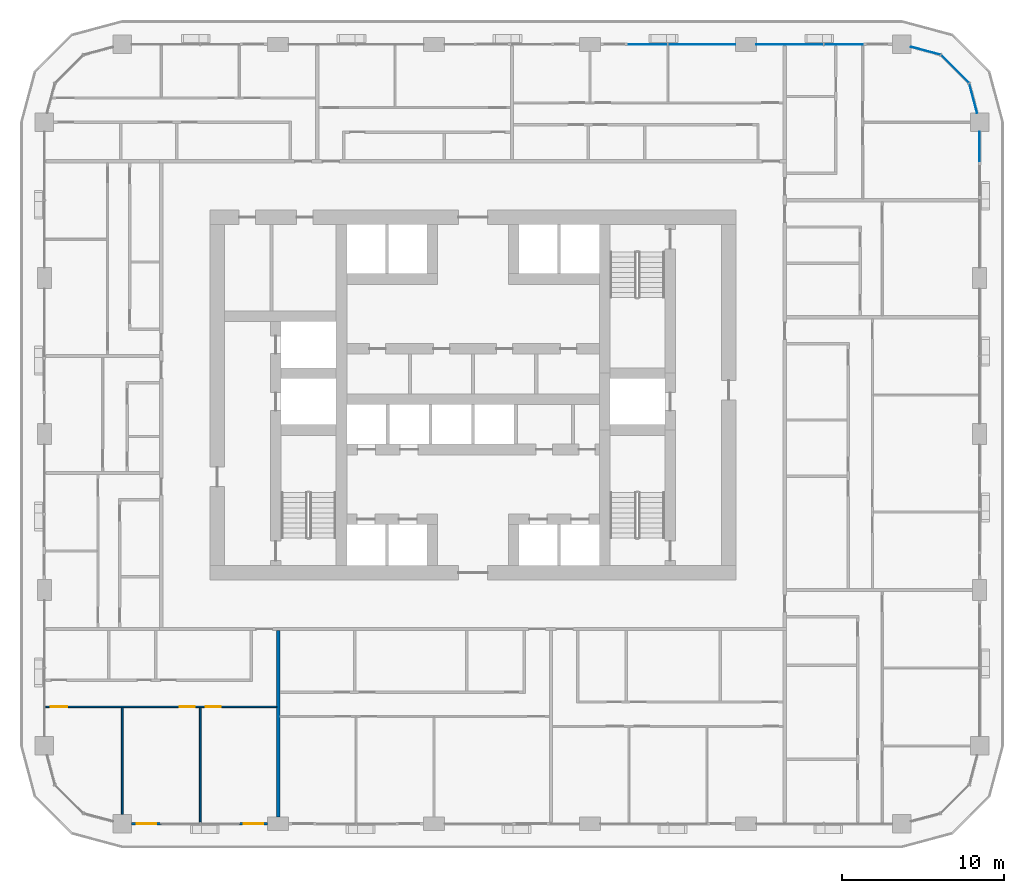
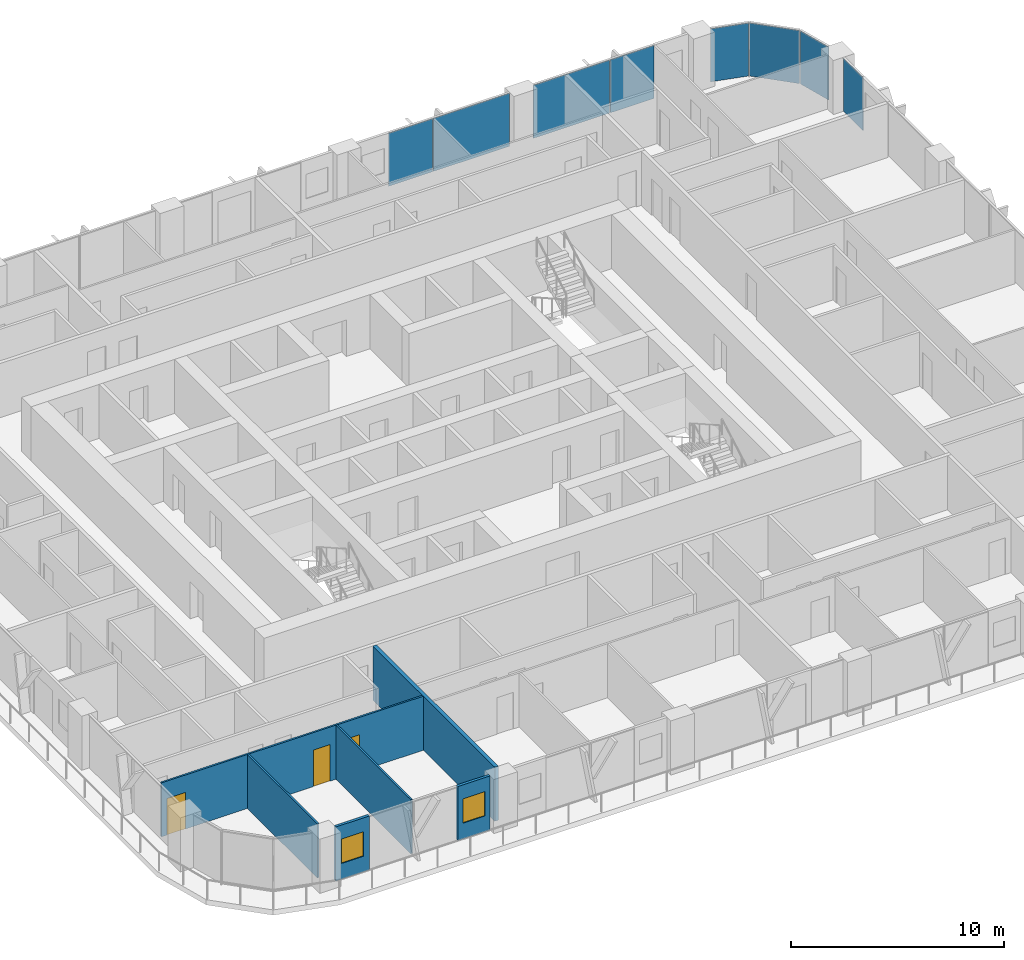
# One storey, part 8 of 21: 8 plates, 6 walls, 3 doors, 2 windows, 5 openings, 4 elements without a shape of their own.
"""IFC4 building model written with IfcOpenShell, lengths in metres."""

from ifc_helpers import new_model, si_unit, direction, frame, frame_2d, origin, origin_2d, place, context, subcontext, project, spatial, rectangle, extrude, material, layer, layer_set, type_object, element, fill, aggregate, save


model = new_model("IFC4")

# Units and contexts
model_context = context("Model", 3, precision=1e-05, world=origin(), true_north=direction((0.0, 1.0)))
body_context = subcontext(model_context, "Body", "Model", "MODEL_VIEW")
ifc_project = project(units=[si_unit("LENGTHUNIT", "METRE"), si_unit("AREAUNIT", "SQUARE_METRE"), si_unit("VOLUMEUNIT", "CUBIC_METRE"), si_unit("PLANEANGLEUNIT", "RADIAN"), si_unit("MASSUNIT", "GRAM", prefix="KILO")], contexts=[model_context])

# Site, building, storey
site_placement = place(None, origin())
site = spatial("IfcSite", under=ifc_project, at=site_placement, CompositionType="ELEMENT")
building_placement = place(site_placement, origin())
building = spatial("IfcBuilding", under=site, at=building_placement, Name="Madar Terraces", CompositionType="ELEMENT")
storey_placement = place(building_placement, frame((0.0, 0.0, 80.300048828125)))
storey = spatial("IfcBuildingStorey", under=building, at=storey_placement, Name="L20", CompositionType="ELEMENT", Elevation=80.300048828125)

# Curtain wall, plate
ifc_material_1 = material(Name="Glass, ceramic frit dark grey, with black aluminium frame", Category="aluminium")
ifc_layer_1 = layer(ifc_material_1, 0.199951171875)
ifc_layer_set_1 = layer_set([ifc_layer_1], Name="Facade curtain wall, fritted glass")
curtain_wall_type = type_object("IfcCurtainWallType", Name="Facade curtain wall, fritted glass", PredefinedType="NOTDEFINED", material=ifc_layer_set_1)
curtain_wall_1_placement = place(storey_placement, origin())
curtain_wall_1 = element("IfcCurtainWall", 1, at=curtain_wall_1_placement, inside=storey, type_object=curtain_wall_type, Name="Outer skin curtain wall east bay 4", PredefinedType="NOTDEFINED")
ifc_material_2 = material(Name="Glass, ceramic frit dark grey", Category="glass")
ifc_layer_2 = layer(ifc_material_2, 0.028076171875)
ifc_layer_set_2 = layer_set([ifc_layer_2], Name="Facade glass panel 28")
plate_type = type_object("IfcPlateType", Name="Facade glass panel 28", PredefinedType="CURTAIN_PANEL", material=ifc_layer_set_2)
plate_1_placement = place(storey_placement, frame((62.39990234375, 41.71240234375, 0.0), z_axis=(0.0, 0.0, 1.0), x_axis=(0.0, 1.0, 0.0)))
plate_1 = element("IfcPlate", 2, at=plate_1_placement, type_object=plate_type, Name="Panel 2", PredefinedType="CURTAIN_PANEL", context=body_context, shape_type="SweptSolid", body=[
    extrude(rectangle(XDim=1.824951171875, YDim=0.028076171875, at=origin_2d()), origin(), (0.0, 0.0, 1.0), 3.0400390625),
])
aggregate(curtain_wall_1, [plate_1])

# Curtain wall, plates
curtain_wall_2_placement = place(storey_placement, origin())
curtain_wall_2 = element("IfcCurtainWall", 3, at=curtain_wall_2_placement, inside=storey, type_object=curtain_wall_type, Name="Outer skin curtain wall north bay 1", PredefinedType="NOTDEFINED")
plate_2_placement = place(storey_placement, frame((54.014892578125, 48.0, 0.0), z_axis=(0.0, 0.0, 1.0), x_axis=(-1.0, 0.0, 0.0)))
plate_2 = element("IfcPlate", 4, at=plate_2_placement, type_object=plate_type, Name="Panel 1", PredefinedType="CURTAIN_PANEL", context=body_context, shape_type="SweptSolid", body=[
    extrude(rectangle(XDim=2.3701171875, YDim=0.028076171875, at=origin_2d()), origin(), (0.0, 0.0, 1.0), 3.0400390625),
])
plate_3_placement = place(storey_placement, frame((50.7099609375, 48.0, 0.0), z_axis=(0.0, 0.0, 1.0), x_axis=(-1.0, 0.0, 0.0)))
plate_3 = element("IfcPlate", 5, at=plate_3_placement, type_object=plate_type, Name="Panel 2", PredefinedType="CURTAIN_PANEL", context=body_context, shape_type="SweptSolid", body=[
    extrude(rectangle(XDim=4.1201171875, YDim=0.028076171875, at=origin_2d()), origin(), (0.0, 0.0, 1.0), 3.0400390625),
])
aggregate(curtain_wall_2, [plate_2, plate_3])

curtain_wall_3_placement = place(storey_placement, origin())
curtain_wall_3 = element("IfcCurtainWall", 6, at=curtain_wall_3_placement, inside=storey, type_object=curtain_wall_type, Name="Outer skin curtain wall north bay 2", PredefinedType="NOTDEFINED")
plate_4_placement = place(storey_placement, frame((45.2900390625, 48.0, 0.0), z_axis=(0.0, 0.0, 1.0), x_axis=(-1.0, 0.0, 0.0)))
plate_4 = element("IfcPlate", 7, at=plate_4_placement, type_object=plate_type, Name="Panel 1", PredefinedType="CURTAIN_PANEL", context=body_context, shape_type="SweptSolid", body=[
    extrude(rectangle(XDim=4.1201171875, YDim=0.028076171875, at=origin_2d()), origin(), (0.0, 0.0, 1.0), 3.0400390625),
])
plate_5_placement = place(storey_placement, frame((41.985107421875, 48.0, 0.0), z_axis=(0.0, 0.0, 1.0), x_axis=(-1.0, 0.0, 0.0)))
plate_5 = element("IfcPlate", 8, at=plate_5_placement, type_object=plate_type, Name="Panel 2", PredefinedType="CURTAIN_PANEL", context=body_context, shape_type="SweptSolid", body=[
    extrude(rectangle(XDim=2.3701171875, YDim=0.028076171875, at=origin_2d()), origin(), (0.0, 0.0, 1.0), 3.0400390625),
])
aggregate(curtain_wall_3, [plate_4, plate_5])

curtain_wall_4_placement = place(storey_placement, origin())
curtain_wall_4 = element("IfcCurtainWall", 9, at=curtain_wall_4_placement, inside=storey, type_object=curtain_wall_type, Name="Outer skin curtain wall north-east corner", PredefinedType="NOTDEFINED")
plate_6_placement = place(storey_placement, frame((62.00537109375, 44.673095703125, 0.0), z_axis=(0.0, 0.0, 1.0), x_axis=(-0.258819021888, 0.965925832509, 0.0)))
plate_6 = element("IfcPlate", 10, at=plate_6_placement, type_object=plate_type, Name="Panel 1", PredefinedType="CURTAIN_PANEL", context=body_context, shape_type="SweptSolid", body=[
    extrude(rectangle(XDim=1.859375, YDim=0.028076171875, at=origin_2d()), origin(), (0.0, 0.0, 1.0), 3.0400390625),
])
plate_7_placement = place(storey_placement, frame((60.87841796875, 46.478515625, 0.0), z_axis=(0.0, 0.0, 1.0), x_axis=(-0.707106781187, 0.707106781187, 0.0)))
plate_7 = element("IfcPlate", 11, at=plate_7_placement, type_object=plate_type, Name="Panel 2", PredefinedType="CURTAIN_PANEL", context=body_context, shape_type="SweptSolid", body=[
    extrude(rectangle(XDim=2.424560546875, YDim=0.028076171875, at=origin_2d()), origin(), (0.0, 0.0, 1.0), 3.0400390625),
])
plate_8_placement = place(storey_placement, frame((59.072998046875, 47.605224609375, 0.0), z_axis=(0.0, 0.0, 1.0), x_axis=(-0.965925832509, 0.258819021888, 0.0)))
plate_8 = element("IfcPlate", 12, at=plate_8_placement, type_object=plate_type, Name="Panel 3", PredefinedType="CURTAIN_PANEL", context=body_context, shape_type="SweptSolid", body=[
    extrude(rectangle(XDim=1.859375, YDim=0.028076171875, at=origin_2d()), origin(), (0.0, 0.0, 1.0), 3.0400390625),
])
aggregate(curtain_wall_4, [plate_6, plate_7, plate_8])

# Wall, opening, window
ifc_material_3 = material(Name="Aluminium composite panel, black, over insulated backing", Category="aluminium")
ifc_layer_3 = layer(ifc_material_3, 0.14990234375)
ifc_layer_set_3 = layer_set([ifc_layer_3], Name="Facade bay panel 150")
wall_type_1 = type_object("IfcWallType", Name="Facade bay panel 150", PredefinedType="SOLIDWALL", material=ifc_layer_set_3)
wall_1_placement = place(storey_placement, frame((10.175048828125, 0.0, 0.0), z_axis=(0.0, 0.0, 1.0), x_axis=(1.0, 0.0, 0.0)))
wall_1 = element("IfcWall", 13, at=wall_1_placement, inside=storey, type_object=wall_type_1, Name="Facade bay panel", PredefinedType="SOLIDWALL", context=body_context, shape_type="SweptSolid", body=[
    extrude(rectangle(XDim=1.824951171875, YDim=0.14990234375, at=frame_2d((0.91259765625, 0.0))), origin(), (0.0, 0.0, 1.0), 3.099853515625),
])
opening_1_placement = place(wall_1_placement, frame((0.3125, 0.0, 0.89990234375)))
opening_1 = element("IfcOpeningElement", 14, at=opening_1_placement, cuts=wall_1, Name="Opening W1", PredefinedType="OPENING", context=body_context, shape_type="SweptSolid", body=[
    extrude(rectangle(XDim=1.199951171875, YDim=1.39990234375, at=frame_2d((0.60009765625, 0.699951171875))), frame((0.0, 0.0849609375, 0.0), z_axis=(0.0, -1.0, 0.0), x_axis=(1.0, 0.0, 0.0)), (0.0, 0.0, 1.0), 0.169921875),
])
ifc_material_4 = material(Name="Glass, clear, with black aluminium frame", Category="aluminium")
window_type = type_object("IfcWindowType", Name="Vent window 1200 x 1400", PartitioningType="SINGLE_PANEL", PredefinedType="WINDOW", material=ifc_material_4)
window_1_placement = place(opening_1_placement, origin())
window_1 = element("IfcWindow", 15, at=window_1_placement, inside=storey, type_object=window_type, Name="Operable vent window", OverallHeight=1.39990234375, OverallWidth=1.199951171875, PartitioningType="SINGLE_PANEL", PredefinedType="WINDOW", context=body_context, shape_type="SweptSolid", body=[
    extrude(rectangle(XDim=1.199951171875, YDim=1.39990234375, at=frame_2d((0.60009765625, 0.699951171875))), frame((0.0, 0.030029296875, 0.0), z_axis=(0.0, -1.0, 0.0), x_axis=(1.0, 0.0, 0.0)), (0.0, 0.0, 1.0), 0.06005859375),
])
fill(opening_1, window_1)

wall_2_placement = place(storey_placement, frame((16.800048828125, 0.0, 0.0), z_axis=(0.0, 0.0, 1.0), x_axis=(1.0, 0.0, 0.0)))
wall_2 = element("IfcWall", 16, at=wall_2_placement, inside=storey, type_object=wall_type_1, Name="Facade bay panel", PredefinedType="SOLIDWALL", context=body_context, shape_type="SweptSolid", body=[
    extrude(rectangle(XDim=1.75, YDim=0.14990234375, at=frame_2d((0.875, 0.0))), origin(), (0.0, 0.0, 1.0), 3.099853515625),
])
opening_2_placement = place(wall_2_placement, frame((0.27490234375, 0.0, 0.89990234375)))
opening_2 = element("IfcOpeningElement", 17, at=opening_2_placement, cuts=wall_2, Name="Opening W1", PredefinedType="OPENING", context=body_context, shape_type="SweptSolid", body=[
    extrude(rectangle(XDim=1.199951171875, YDim=1.39990234375, at=frame_2d((0.60009765625, 0.699951171875))), frame((0.0, 0.0849609375, 0.0), z_axis=(0.0, -1.0, 0.0), x_axis=(1.0, 0.0, 0.0)), (0.0, 0.0, 1.0), 0.169921875),
])
window_2_placement = place(opening_2_placement, origin())
window_2 = element("IfcWindow", 18, at=window_2_placement, inside=storey, type_object=window_type, Name="Operable vent window", OverallHeight=1.39990234375, OverallWidth=1.199951171875, PartitioningType="SINGLE_PANEL", PredefinedType="WINDOW", context=body_context, shape_type="SweptSolid", body=[
    extrude(rectangle(XDim=1.199951171875, YDim=1.39990234375, at=frame_2d((0.60009765625, 0.699951171875))), frame((0.0, 0.030029296875, 0.0), z_axis=(0.0, -1.0, 0.0), x_axis=(1.0, 0.0, 0.0)), (0.0, 0.0, 1.0), 0.06005859375),
])
fill(opening_2, window_2)

# Walls
ifc_material_5 = material(Name="Gypsum board on steel studs", Category="steel")
ifc_layer_4 = layer(ifc_material_5, 0.10009765625)
ifc_layer_set_4 = layer_set([ifc_layer_4], Name="Flat partition 100")
wall_type_2 = type_object("IfcWallType", Name="Flat partition 100", PredefinedType="PARTITIONING", material=ifc_layer_set_4)
wall_3_placement = place(storey_placement, frame((14.39990234375, 7.14990234375, 0.0), z_axis=(0.0, 0.0, 1.0), x_axis=(0.0, -1.0, 0.0)))
element("IfcWall", 19, at=wall_3_placement, inside=storey, type_object=wall_type_2, Name="Flat partition 100", PredefinedType="PARTITIONING", context=body_context, shape_type="SweptSolid", body=[
    extrude(rectangle(XDim=7.0498046875, YDim=0.10009765625, at=frame_2d((3.52490234375, 0.0))), origin(), (0.0, 0.0, 1.0), 3.099853515625),
])
wall_4_placement = place(storey_placement, frame((9.60009765625, 7.14990234375, 0.0), z_axis=(0.0, 0.0, 1.0), x_axis=(0.0, -1.0, 0.0)))
element("IfcWall", 20, at=wall_4_placement, inside=storey, type_object=wall_type_2, Name="Flat partition 100", PredefinedType="PARTITIONING", context=body_context, shape_type="SweptSolid", body=[
    extrude(rectangle(XDim=6.574951171875, YDim=0.10009765625, at=frame_2d((3.28759765625, 0.0))), origin(), (0.0, 0.0, 1.0), 3.099853515625),
])

# Wall, openings, doors
wall_5_placement = place(storey_placement, frame((19.10009765625, 7.199951171875, 0.0), z_axis=(0.0, 0.0, 1.0), x_axis=(-1.0, 0.0, 0.0)))
wall_5 = element("IfcWall", 21, at=wall_5_placement, inside=storey, type_object=wall_type_2, Name="Flat partition 100", PredefinedType="PARTITIONING", context=body_context, shape_type="SweptSolid", body=[
    extrude(rectangle(XDim=14.2001953125, YDim=0.10009765625, at=frame_2d((7.10009765625, 0.0))), origin(), (0.0, 0.0, 1.0), 3.099853515625),
])
opening_3_placement = place(wall_5_placement, frame((3.449951171875, 0.0, 0.0)))
opening_3 = element("IfcOpeningElement", 22, at=opening_3_placement, cuts=wall_5, Name="Opening D2", PredefinedType="OPENING", context=body_context, shape_type="SweptSolid", body=[
    extrude(rectangle(XDim=0.89990234375, YDim=2.10009765625, at=frame_2d((0.449951171875, 1.050048828125))), frame((0.0, 0.06005859375, 0.0), z_axis=(0.0, -1.0, 0.0), x_axis=(1.0, 0.0, 0.0)), (0.0, 0.0, 1.0), 0.1201171875),
])
opening_4_placement = place(wall_5_placement, frame((5.050048828125, 0.0, 0.0)))
opening_4 = element("IfcOpeningElement", 23, at=opening_4_placement, cuts=wall_5, Name="Opening D2", PredefinedType="OPENING", context=body_context, shape_type="SweptSolid", body=[
    extrude(rectangle(XDim=0.89990234375, YDim=2.10009765625, at=frame_2d((0.449951171875, 1.050048828125))), frame((0.0, 0.06005859375, 0.0), z_axis=(0.0, -1.0, 0.0), x_axis=(1.0, 0.0, 0.0)), (0.0, 0.0, 1.0), 0.1201171875),
])
opening_5_placement = place(wall_5_placement, frame((12.89990234375, 0.0, 0.0)))
opening_5 = element("IfcOpeningElement", 24, at=opening_5_placement, cuts=wall_5, Name="Opening D3", PredefinedType="OPENING", context=body_context, shape_type="SweptSolid", body=[
    extrude(rectangle(XDim=1.0, YDim=2.10009765625, at=frame_2d((0.5, 1.050048828125))), frame((0.0, 0.06005859375, 0.0), z_axis=(0.0, -1.0, 0.0), x_axis=(1.0, 0.0, 0.0)), (0.0, 0.0, 1.0), 0.1201171875),
])
ifc_material_6 = material(Name="Timber door leaf", Category="wood")
door_type_1 = type_object("IfcDoorType", Name="Flat living room door 1000", OperationType="NOTDEFINED", PredefinedType="DOOR", material=ifc_material_6)
door_1_placement = place(opening_5_placement, origin())
door_1 = element("IfcDoor", 25, at=door_1_placement, inside=storey, type_object=door_type_1, Name="Flat living room door 1000", OperationType="SINGLE_SWING_RIGHT", OverallHeight=2.10009765625, OverallWidth=1.0, PredefinedType="DOOR", context=body_context, shape_type="SweptSolid", body=[
    extrude(rectangle(XDim=1.0, YDim=2.10009765625, at=frame_2d((0.5, 1.050048828125))), frame((0.0, 0.02490234375, 0.0), z_axis=(0.0, -1.0, 0.0), x_axis=(1.0, 0.0, 0.0)), (0.0, 0.0, 1.0), 0.050048828125),
])
fill(opening_5, door_1)
ifc_material_7 = material(Name="Timber door leaf", Category="wood")
door_type_2 = type_object("IfcDoorType", Name="Flat room door 900", OperationType="NOTDEFINED", PredefinedType="DOOR", material=ifc_material_7)
door_2_placement = place(opening_3_placement, origin())
door_2 = element("IfcDoor", 26, at=door_2_placement, inside=storey, type_object=door_type_2, Name="Flat room door 900", OperationType="SINGLE_SWING_RIGHT", OverallHeight=2.10009765625, OverallWidth=0.89990234375, PredefinedType="DOOR", context=body_context, shape_type="SweptSolid", body=[
    extrude(rectangle(XDim=0.89990234375, YDim=2.10009765625, at=frame_2d((0.449951171875, 1.050048828125))), frame((0.0, 0.02490234375, 0.0), z_axis=(0.0, -1.0, 0.0), x_axis=(1.0, 0.0, 0.0)), (0.0, 0.0, 1.0), 0.050048828125),
])
fill(opening_3, door_2)
door_3_placement = place(opening_4_placement, origin())
door_3 = element("IfcDoor", 27, at=door_3_placement, inside=storey, type_object=door_type_2, Name="Flat room door 900", OperationType="SINGLE_SWING_LEFT", OverallHeight=2.10009765625, OverallWidth=0.89990234375, PredefinedType="DOOR", context=body_context, shape_type="SweptSolid", body=[
    extrude(rectangle(XDim=0.89990234375, YDim=2.10009765625, at=frame_2d((0.449951171875, 1.050048828125))), frame((0.0, 0.02490234375, 0.0), z_axis=(0.0, -1.0, 0.0), x_axis=(1.0, 0.0, 0.0)), (0.0, 0.0, 1.0), 0.050048828125),
])
fill(opening_4, door_3)

# Wall
ifc_material_8 = material(Name="Lightweight blockwork", Category="masonry")
ifc_layer_5 = layer(ifc_material_8, 0.199951171875)
ifc_layer_set_5 = layer_set([ifc_layer_5], Name="Flat party and entrance wall 200")
wall_type_3 = type_object("IfcWallType", Name="Flat party and entrance wall 200", PredefinedType="PARTITIONING", material=ifc_layer_set_5)
wall_6_placement = place(storey_placement, frame((19.199951171875, 11.89990234375, 0.0), z_axis=(0.0, 0.0, 1.0), x_axis=(0.0, -1.0, 0.0)))
element("IfcWall", 28, at=wall_6_placement, inside=storey, type_object=wall_type_3, Name="Flat party and entrance wall 200", PredefinedType="PARTITIONING", context=body_context, shape_type="SweptSolid", body=[
    extrude(rectangle(XDim=11.474853515625, YDim=0.199951171875, at=frame_2d((5.7373046875, 0.0))), origin(), (0.0, 0.0, 1.0), 3.099853515625),
])

save(model, "model.ifc")
